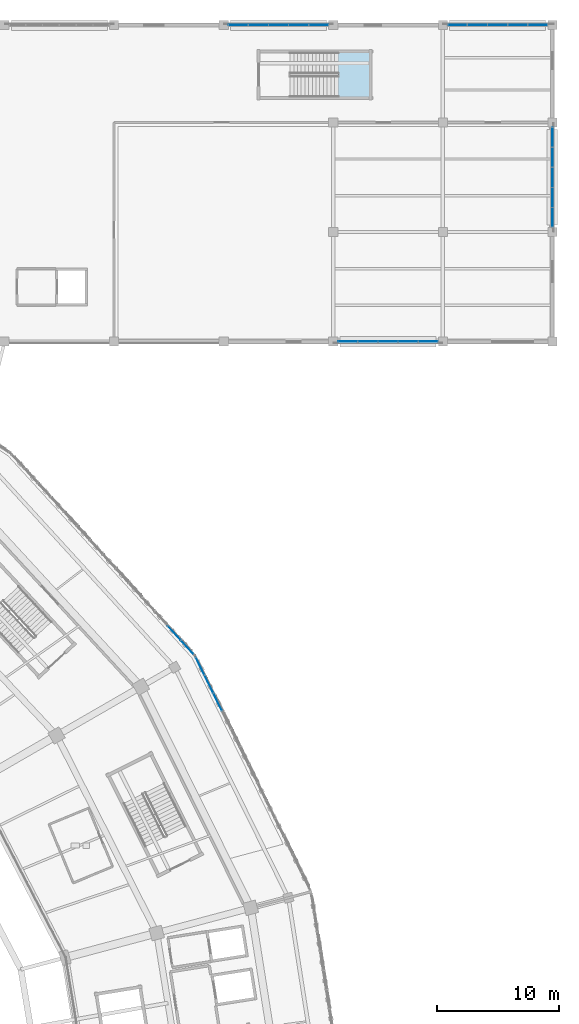
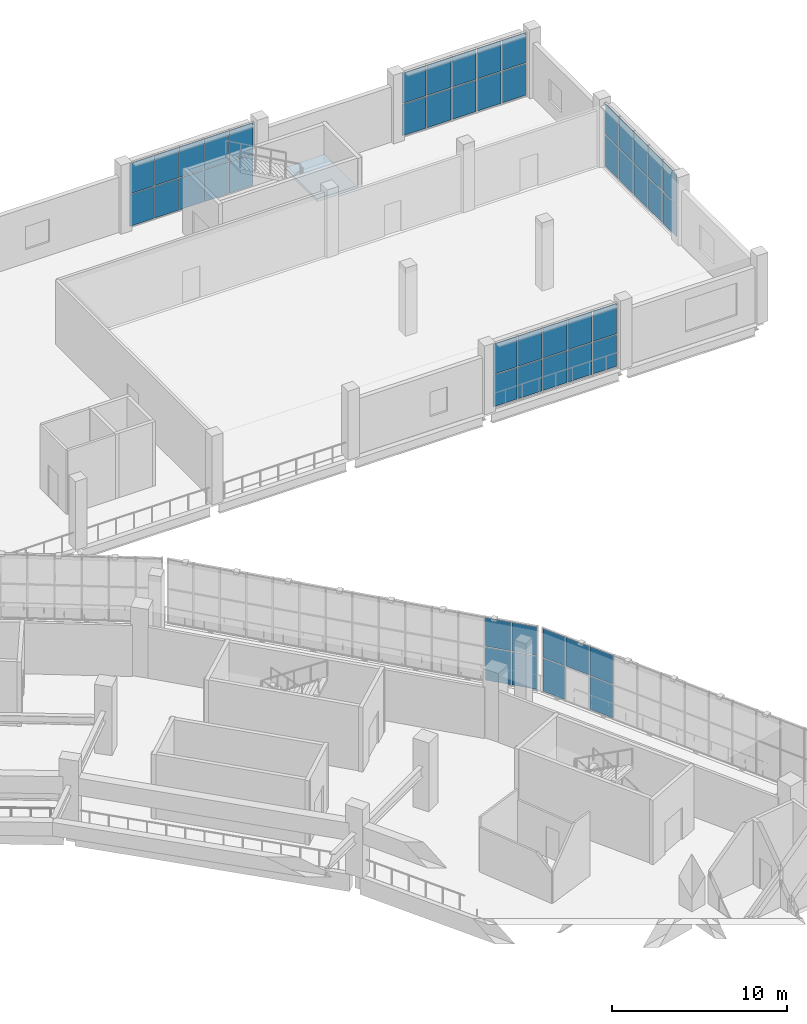
# One storey, part 96 of 179: 49 plates, 1 slab, 7 elements without a shape of their own.
"""IFC4 building model written with IfcOpenShell, lengths in metres."""

from ifc_helpers import new_model, si_unit, direction, frame, origin, origin_2d, place, context, subcontext, project, spatial, polyline, rectangle, outline, extrude, material, layer, layer_set, type_object, element, aggregate, save


model = new_model("IFC4")

# Units and contexts
model_context = context("Model", 3, precision=1e-05, world=origin(), true_north=direction((0.0, 1.0)))
body_context = subcontext(model_context, "Body", "Model", "MODEL_VIEW")
ifc_project = project(units=[si_unit("LENGTHUNIT", "METRE"), si_unit("AREAUNIT", "SQUARE_METRE"), si_unit("VOLUMEUNIT", "CUBIC_METRE"), si_unit("PLANEANGLEUNIT", "RADIAN"), si_unit("MASSUNIT", "GRAM", prefix="KILO")], contexts=[model_context])

# Site, building, storey
site_placement = place(None, origin())
site = spatial("IfcSite", under=ifc_project, at=site_placement, CompositionType="ELEMENT")
building_placement = place(site_placement, origin())
building = spatial("IfcBuilding", under=site, at=building_placement, Name="Zevraka Park Crest Stadium", CompositionType="ELEMENT")
storey_placement = place(building_placement, frame((0.0, 0.0, 10.199951171875)))
storey = spatial("IfcBuildingStorey", under=building, at=storey_placement, Name="L02", CompositionType="ELEMENT", Elevation=10.199951171875)

# Curtain wall, plates
ifc_material_1 = material(Name="Anodised architectural aluminium and laminated safety glass", Category="aluminium")
curtain_wall_type_1 = type_object("IfcCurtainWallType", Name="CW07", PredefinedType="NOTDEFINED", material=ifc_material_1)
curtain_wall_1_placement = place(storey_placement, origin())
curtain_wall_1 = element("IfcCurtainWall", 1, at=curtain_wall_1_placement, inside=storey, type_object=curtain_wall_type_1, Name="Unitised Ring Curtain Wall CW07 L02-01", PredefinedType="NOTDEFINED")
ifc_material_2 = material(Name="Solar-control laminated double glazing", Category="glass")
ifc_layer_1 = layer(ifc_material_2, 0.028076171875)
ifc_layer_set_1 = layer_set([ifc_layer_1], Name="Solar-control laminated double glazing")
plate_type_1 = type_object("IfcPlateType", Name="CP07", PredefinedType="CURTAIN_PANEL", material=ifc_layer_set_1)
plate_1_placement = place(storey_placement, frame((196.505859375, 128.403564453125, 0.06005859375), z_axis=(0.0, 0.0, 1.0), x_axis=(-0.441021032455, 0.897496768201, 0.0)))
plate_1 = element("IfcPlate", 2, at=plate_1_placement, type_object=plate_type_1, Name="CW07 panel 11.1", PredefinedType="CURTAIN_PANEL", context=body_context, shape_type="SweptSolid", body=[
    extrude(rectangle(XDim=1.58251953125, YDim=0.028076171875, at=origin_2d()), origin(), (0.0, 0.0, 1.0), 2.31005859375),
])
plate_2_placement = place(storey_placement, frame((196.505859375, 128.403564453125, 2.43017578125), z_axis=(0.0, 0.0, 1.0), x_axis=(-0.441021032455, 0.897496768201, 0.0)))
plate_2 = element("IfcPlate", 3, at=plate_2_placement, type_object=plate_type_1, Name="CW07 panel 11.2", PredefinedType="CURTAIN_PANEL", context=body_context, shape_type="SweptSolid", body=[
    extrude(rectangle(XDim=1.58251953125, YDim=0.028076171875, at=origin_2d()), origin(), (0.0, 0.0, 1.0), 2.010009765625),
])
plate_3_placement = place(storey_placement, frame((195.781494140625, 129.877685546875, 2.43017578125), z_axis=(0.0, 0.0, 1.0), x_axis=(-0.441021032455, 0.897496768201, 0.0)))
plate_3 = element("IfcPlate", 4, at=plate_3_placement, type_object=plate_type_1, Name="CW07 panel 12.2", PredefinedType="CURTAIN_PANEL", context=body_context, shape_type="SweptSolid", body=[
    extrude(rectangle(XDim=1.58251953125, YDim=0.028076171875, at=origin_2d()), origin(), (0.0, 0.0, 1.0), 2.010009765625),
])
plate_4_placement = place(storey_placement, frame((195.063720703125, 131.33837890625, 0.06005859375), z_axis=(0.0, 0.0, 1.0), x_axis=(-0.441021032455, 0.897496768201, 0.0)))
plate_4 = element("IfcPlate", 5, at=plate_4_placement, type_object=plate_type_1, Name="CW07 panel 13.1", PredefinedType="CURTAIN_PANEL", context=body_context, shape_type="SweptSolid", body=[
    extrude(rectangle(XDim=1.552490234375, YDim=0.028076171875, at=origin_2d()), origin(), (0.0, 0.0, 1.0), 2.31005859375),
])
plate_5_placement = place(storey_placement, frame((195.063720703125, 131.33837890625, 2.43017578125), z_axis=(0.0, 0.0, 1.0), x_axis=(-0.441021032455, 0.897496768201, 0.0)))
plate_5 = element("IfcPlate", 6, at=plate_5_placement, type_object=plate_type_1, Name="CW07 panel 13.2", PredefinedType="CURTAIN_PANEL", context=body_context, shape_type="SweptSolid", body=[
    extrude(rectangle(XDim=1.552490234375, YDim=0.028076171875, at=origin_2d()), origin(), (0.0, 0.0, 1.0), 2.010009765625),
])
aggregate(curtain_wall_1, [plate_1, plate_2, plate_3, plate_4, plate_5])

ifc_material_3 = material(Name="Anodised architectural aluminium and laminated safety glass", Category="aluminium")
curtain_wall_type_2 = type_object("IfcCurtainWallType", Name="CW08", PredefinedType="NOTDEFINED", material=ifc_material_3)
curtain_wall_2_placement = place(storey_placement, origin())
curtain_wall_2 = element("IfcCurtainWall", 7, at=curtain_wall_2_placement, inside=storey, type_object=curtain_wall_type_2, Name="Unitised Ring Curtain Wall CW08 L02-02", PredefinedType="NOTDEFINED")
ifc_material_4 = material(Name="Solar-control laminated double glazing", Category="glass")
ifc_layer_2 = layer(ifc_material_4, 0.028076171875)
ifc_layer_set_2 = layer_set([ifc_layer_2], Name="Solar-control laminated double glazing")
plate_type_2 = type_object("IfcPlateType", Name="CP08", PredefinedType="CURTAIN_PANEL", material=ifc_layer_set_2)
plate_6_placement = place(storey_placement, frame((194.005859375, 132.900146484375, 0.06494140625), z_axis=(0.0, 0.0, 1.0), x_axis=(-0.673159987494, 0.739496877097, 0.0)))
plate_6 = element("IfcPlate", 8, at=plate_6_placement, type_object=plate_type_2, Name="CW08 panel 1.1", PredefinedType="CURTAIN_PANEL", context=body_context, shape_type="SweptSolid", body=[
    extrude(rectangle(XDim=1.492919921875, YDim=0.028076171875, at=origin_2d()), origin(), (0.0, 0.0, 1.0), 2.302490234375),
])
plate_7_placement = place(storey_placement, frame((194.005859375, 132.900146484375, 2.4326171875), z_axis=(0.0, 0.0, 1.0), x_axis=(-0.673159987494, 0.739496877097, 0.0)))
plate_7 = element("IfcPlate", 9, at=plate_7_placement, type_object=plate_type_2, Name="CW08 panel 1.2", PredefinedType="CURTAIN_PANEL", context=body_context, shape_type="SweptSolid", body=[
    extrude(rectangle(XDim=1.492919921875, YDim=0.028076171875, at=origin_2d()), origin(), (0.0, 0.0, 1.0), 2.00244140625),
])
plate_8_placement = place(storey_placement, frame((192.946044921875, 134.064208984375, 0.06494140625), z_axis=(0.0, 0.0, 1.0), x_axis=(-0.673159987494, 0.739496877097, 0.0)))
plate_8 = element("IfcPlate", 10, at=plate_8_placement, type_object=plate_type_2, Name="CW08 panel 2.1", PredefinedType="CURTAIN_PANEL", context=body_context, shape_type="SweptSolid", body=[
    extrude(rectangle(XDim=1.525390625, YDim=0.028076171875, at=origin_2d()), origin(), (0.0, 0.0, 1.0), 2.302490234375),
])
plate_9_placement = place(storey_placement, frame((192.946044921875, 134.064208984375, 2.4326171875), z_axis=(0.0, 0.0, 1.0), x_axis=(-0.673159987494, 0.739496877097, 0.0)))
plate_9 = element("IfcPlate", 11, at=plate_9_placement, type_object=plate_type_2, Name="CW08 panel 2.2", PredefinedType="CURTAIN_PANEL", context=body_context, shape_type="SweptSolid", body=[
    extrude(rectangle(XDim=1.525390625, YDim=0.028076171875, at=origin_2d()), origin(), (0.0, 0.0, 1.0), 2.00244140625),
])
aggregate(curtain_wall_2, [plate_6, plate_7, plate_8, plate_9])

ifc_material_5 = material(Name="Anodised architectural aluminium and laminated safety glass", Category="aluminium")
curtain_wall_type_3 = type_object("IfcCurtainWallType", Name="CW28", PredefinedType="NOTDEFINED", material=ifc_material_5)
curtain_wall_3_placement = place(storey_placement, origin())
curtain_wall_3 = element("IfcCurtainWall", 12, at=curtain_wall_3_placement, inside=storey, type_object=curtain_wall_type_3, Name="Wing Curtain Wall CW28 L02-NGATE-N-6", PredefinedType="NOTDEFINED")
ifc_material_6 = material(Name="Solar-control laminated double glazing", Category="glass")
ifc_layer_3 = layer(ifc_material_6, 0.035888671875)
ifc_layer_set_3 = layer_set([ifc_layer_3], Name="Solar-control laminated double glazing")
plate_type_3 = type_object("IfcPlateType", Name="CP28", PredefinedType="CURTAIN_PANEL", material=ifc_layer_set_3)
plate_10_placement = place(storey_placement, frame((198.20703125, 184.0, 0.06005859375), z_axis=(0.0, 0.0, 1.0), x_axis=(1.0, 0.0, 0.0)))
plate_10 = element("IfcPlate", 13, at=plate_10_placement, type_object=plate_type_3, Name="CW28 panel 1.1", PredefinedType="CURTAIN_PANEL", context=body_context, shape_type="SweptSolid", body=[
    extrude(rectangle(XDim=1.56396484375, YDim=0.035888671875, at=origin_2d()), origin(), (0.0, 0.0, 1.0), 2.2099609375),
])
plate_11_placement = place(storey_placement, frame((198.20703125, 184.0, 2.330078125), z_axis=(0.0, 0.0, 1.0), x_axis=(1.0, 0.0, 0.0)))
plate_11 = element("IfcPlate", 14, at=plate_11_placement, type_object=plate_type_3, Name="CW28 panel 1.2", PredefinedType="CURTAIN_PANEL", context=body_context, shape_type="SweptSolid", body=[
    extrude(rectangle(XDim=1.56396484375, YDim=0.035888671875, at=origin_2d()), origin(), (0.0, 0.0, 1.0), 2.110107421875),
])
plate_12_placement = place(storey_placement, frame((199.845947265625, 184.0, 0.06005859375), z_axis=(0.0, 0.0, 1.0), x_axis=(1.0, 0.0, 0.0)))
plate_12 = element("IfcPlate", 15, at=plate_12_placement, type_object=plate_type_3, Name="CW28 panel 2.1", PredefinedType="CURTAIN_PANEL", context=body_context, shape_type="SweptSolid", body=[
    extrude(rectangle(XDim=1.593994140625, YDim=0.035888671875, at=origin_2d()), origin(), (0.0, 0.0, 1.0), 2.2099609375),
])
plate_13_placement = place(storey_placement, frame((199.845947265625, 184.0, 2.330078125), z_axis=(0.0, 0.0, 1.0), x_axis=(1.0, 0.0, 0.0)))
plate_13 = element("IfcPlate", 16, at=plate_13_placement, type_object=plate_type_3, Name="CW28 panel 2.2", PredefinedType="CURTAIN_PANEL", context=body_context, shape_type="SweptSolid", body=[
    extrude(rectangle(XDim=1.593994140625, YDim=0.035888671875, at=origin_2d()), origin(), (0.0, 0.0, 1.0), 2.110107421875),
])
plate_14_placement = place(storey_placement, frame((201.5, 184.0, 0.06005859375), z_axis=(0.0, 0.0, 1.0), x_axis=(1.0, 0.0, 0.0)))
plate_14 = element("IfcPlate", 17, at=plate_14_placement, type_object=plate_type_3, Name="CW28 panel 3.1", PredefinedType="CURTAIN_PANEL", context=body_context, shape_type="SweptSolid", body=[
    extrude(rectangle(XDim=1.593994140625, YDim=0.035888671875, at=origin_2d()), origin(), (0.0, 0.0, 1.0), 2.2099609375),
])
plate_15_placement = place(storey_placement, frame((201.5, 184.0, 2.330078125), z_axis=(0.0, 0.0, 1.0), x_axis=(1.0, 0.0, 0.0)))
plate_15 = element("IfcPlate", 18, at=plate_15_placement, type_object=plate_type_3, Name="CW28 panel 3.2", PredefinedType="CURTAIN_PANEL", context=body_context, shape_type="SweptSolid", body=[
    extrude(rectangle(XDim=1.593994140625, YDim=0.035888671875, at=origin_2d()), origin(), (0.0, 0.0, 1.0), 2.110107421875),
])
plate_16_placement = place(storey_placement, frame((203.154052734375, 184.0, 0.06005859375), z_axis=(0.0, 0.0, 1.0), x_axis=(1.0, 0.0, 0.0)))
plate_16 = element("IfcPlate", 19, at=plate_16_placement, type_object=plate_type_3, Name="CW28 panel 4.1", PredefinedType="CURTAIN_PANEL", context=body_context, shape_type="SweptSolid", body=[
    extrude(rectangle(XDim=1.593994140625, YDim=0.035888671875, at=origin_2d()), origin(), (0.0, 0.0, 1.0), 2.2099609375),
])
plate_17_placement = place(storey_placement, frame((203.154052734375, 184.0, 2.330078125), z_axis=(0.0, 0.0, 1.0), x_axis=(1.0, 0.0, 0.0)))
plate_17 = element("IfcPlate", 20, at=plate_17_placement, type_object=plate_type_3, Name="CW28 panel 4.2", PredefinedType="CURTAIN_PANEL", context=body_context, shape_type="SweptSolid", body=[
    extrude(rectangle(XDim=1.593994140625, YDim=0.035888671875, at=origin_2d()), origin(), (0.0, 0.0, 1.0), 2.110107421875),
])
plate_18_placement = place(storey_placement, frame((204.79296875, 184.0, 0.06005859375), z_axis=(0.0, 0.0, 1.0), x_axis=(1.0, 0.0, 0.0)))
plate_18 = element("IfcPlate", 21, at=plate_18_placement, type_object=plate_type_3, Name="CW28 panel 5.1", PredefinedType="CURTAIN_PANEL", context=body_context, shape_type="SweptSolid", body=[
    extrude(rectangle(XDim=1.56396484375, YDim=0.035888671875, at=origin_2d()), origin(), (0.0, 0.0, 1.0), 2.2099609375),
])
plate_19_placement = place(storey_placement, frame((204.79296875, 184.0, 2.330078125), z_axis=(0.0, 0.0, 1.0), x_axis=(1.0, 0.0, 0.0)))
plate_19 = element("IfcPlate", 22, at=plate_19_placement, type_object=plate_type_3, Name="CW28 panel 5.2", PredefinedType="CURTAIN_PANEL", context=body_context, shape_type="SweptSolid", body=[
    extrude(rectangle(XDim=1.56396484375, YDim=0.035888671875, at=origin_2d()), origin(), (0.0, 0.0, 1.0), 2.110107421875),
])
aggregate(curtain_wall_3, [plate_10, plate_11, plate_12, plate_13, plate_14, plate_15, plate_16, plate_17, plate_18, plate_19])

ifc_material_7 = material(Name="Anodised architectural aluminium and laminated safety glass", Category="aluminium")
curtain_wall_type_4 = type_object("IfcCurtainWallType", Name="CW29", PredefinedType="NOTDEFINED", material=ifc_material_7)
curtain_wall_4_placement = place(storey_placement, origin())
curtain_wall_4 = element("IfcCurtainWall", 23, at=curtain_wall_4_placement, inside=storey, type_object=curtain_wall_type_4, Name="Wing Curtain Wall CW29 L02-NGATE-E-2", PredefinedType="NOTDEFINED")
ifc_material_8 = material(Name="Solar-control laminated double glazing", Category="glass")
ifc_layer_4 = layer(ifc_material_8, 0.035888671875)
ifc_layer_set_4 = layer_set([ifc_layer_4], Name="Solar-control laminated double glazing")
plate_type_4 = type_object("IfcPlateType", Name="CP29", PredefinedType="CURTAIN_PANEL", material=ifc_layer_set_4)
plate_20_placement = place(storey_placement, frame((224.0, 174.791748046875, 0.06494140625), z_axis=(0.0, 0.0, 1.0), x_axis=(0.0, -1.0, 0.0)))
plate_20 = element("IfcPlate", 24, at=plate_20_placement, type_object=plate_type_4, Name="CW29 panel 1.1", PredefinedType="CURTAIN_PANEL", context=body_context, shape_type="SweptSolid", body=[
    extrude(rectangle(XDim=1.556396484375, YDim=0.035888671875, at=origin_2d()), origin(), (0.0, 0.0, 1.0), 2.202392578125),
])
plate_21_placement = place(storey_placement, frame((224.0, 174.791748046875, 2.33251953125), z_axis=(0.0, 0.0, 1.0), x_axis=(0.0, -1.0, 0.0)))
plate_21 = element("IfcPlate", 25, at=plate_21_placement, type_object=plate_type_4, Name="CW29 panel 1.2", PredefinedType="CURTAIN_PANEL", context=body_context, shape_type="SweptSolid", body=[
    extrude(rectangle(XDim=1.556396484375, YDim=0.035888671875, at=origin_2d()), origin(), (0.0, 0.0, 1.0), 2.1025390625),
])
plate_22_placement = place(storey_placement, frame((224.0, 173.154052734375, 0.06494140625), z_axis=(0.0, 0.0, 1.0), x_axis=(0.0, -1.0, 0.0)))
plate_22 = element("IfcPlate", 26, at=plate_22_placement, type_object=plate_type_4, Name="CW29 panel 2.1", PredefinedType="CURTAIN_PANEL", context=body_context, shape_type="SweptSolid", body=[
    extrude(rectangle(XDim=1.589111328125, YDim=0.035888671875, at=origin_2d()), origin(), (0.0, 0.0, 1.0), 2.202392578125),
])
plate_23_placement = place(storey_placement, frame((224.0, 173.154052734375, 2.33251953125), z_axis=(0.0, 0.0, 1.0), x_axis=(0.0, -1.0, 0.0)))
plate_23 = element("IfcPlate", 27, at=plate_23_placement, type_object=plate_type_4, Name="CW29 panel 2.2", PredefinedType="CURTAIN_PANEL", context=body_context, shape_type="SweptSolid", body=[
    extrude(rectangle(XDim=1.589111328125, YDim=0.035888671875, at=origin_2d()), origin(), (0.0, 0.0, 1.0), 2.1025390625),
])
plate_24_placement = place(storey_placement, frame((224.0, 171.5, 0.06494140625), z_axis=(0.0, 0.0, 1.0), x_axis=(0.0, -1.0, 0.0)))
plate_24 = element("IfcPlate", 28, at=plate_24_placement, type_object=plate_type_4, Name="CW29 panel 3.1", PredefinedType="CURTAIN_PANEL", context=body_context, shape_type="SweptSolid", body=[
    extrude(rectangle(XDim=1.589111328125, YDim=0.035888671875, at=origin_2d()), origin(), (0.0, 0.0, 1.0), 2.202392578125),
])
plate_25_placement = place(storey_placement, frame((224.0, 171.5, 2.33251953125), z_axis=(0.0, 0.0, 1.0), x_axis=(0.0, -1.0, 0.0)))
plate_25 = element("IfcPlate", 29, at=plate_25_placement, type_object=plate_type_4, Name="CW29 panel 3.2", PredefinedType="CURTAIN_PANEL", context=body_context, shape_type="SweptSolid", body=[
    extrude(rectangle(XDim=1.589111328125, YDim=0.035888671875, at=origin_2d()), origin(), (0.0, 0.0, 1.0), 2.1025390625),
])
plate_26_placement = place(storey_placement, frame((224.0, 169.845947265625, 0.06494140625), z_axis=(0.0, 0.0, 1.0), x_axis=(0.0, -1.0, 0.0)))
plate_26 = element("IfcPlate", 30, at=plate_26_placement, type_object=plate_type_4, Name="CW29 panel 4.1", PredefinedType="CURTAIN_PANEL", context=body_context, shape_type="SweptSolid", body=[
    extrude(rectangle(XDim=1.589111328125, YDim=0.035888671875, at=origin_2d()), origin(), (0.0, 0.0, 1.0), 2.202392578125),
])
plate_27_placement = place(storey_placement, frame((224.0, 169.845947265625, 2.33251953125), z_axis=(0.0, 0.0, 1.0), x_axis=(0.0, -1.0, 0.0)))
plate_27 = element("IfcPlate", 31, at=plate_27_placement, type_object=plate_type_4, Name="CW29 panel 4.2", PredefinedType="CURTAIN_PANEL", context=body_context, shape_type="SweptSolid", body=[
    extrude(rectangle(XDim=1.589111328125, YDim=0.035888671875, at=origin_2d()), origin(), (0.0, 0.0, 1.0), 2.1025390625),
])
plate_28_placement = place(storey_placement, frame((224.0, 168.208251953125, 0.06494140625), z_axis=(0.0, 0.0, 1.0), x_axis=(0.0, -1.0, 0.0)))
plate_28 = element("IfcPlate", 32, at=plate_28_placement, type_object=plate_type_4, Name="CW29 panel 5.1", PredefinedType="CURTAIN_PANEL", context=body_context, shape_type="SweptSolid", body=[
    extrude(rectangle(XDim=1.556396484375, YDim=0.035888671875, at=origin_2d()), origin(), (0.0, 0.0, 1.0), 2.202392578125),
])
plate_29_placement = place(storey_placement, frame((224.0, 168.208251953125, 2.33251953125), z_axis=(0.0, 0.0, 1.0), x_axis=(0.0, -1.0, 0.0)))
plate_29 = element("IfcPlate", 33, at=plate_29_placement, type_object=plate_type_4, Name="CW29 panel 5.2", PredefinedType="CURTAIN_PANEL", context=body_context, shape_type="SweptSolid", body=[
    extrude(rectangle(XDim=1.556396484375, YDim=0.035888671875, at=origin_2d()), origin(), (0.0, 0.0, 1.0), 2.1025390625),
])
aggregate(curtain_wall_4, [plate_20, plate_21, plate_22, plate_23, plate_24, plate_25, plate_26, plate_27, plate_28, plate_29])

curtain_wall_5_placement = place(storey_placement, origin())
curtain_wall_5 = element("IfcCurtainWall", 34, at=curtain_wall_5_placement, inside=storey, type_object=curtain_wall_type_4, Name="Wing Curtain Wall CW29 L02-NGATE-S-2", PredefinedType="NOTDEFINED")
plate_30_placement = place(storey_placement, frame((213.791748046875, 158.0, 0.06494140625), z_axis=(0.0, 0.0, 1.0), x_axis=(-1.0, 0.0, 0.0)))
plate_30 = element("IfcPlate", 35, at=plate_30_placement, type_object=plate_type_4, Name="CW29 panel 1.1", PredefinedType="CURTAIN_PANEL", context=body_context, shape_type="SweptSolid", body=[
    extrude(rectangle(XDim=1.556396484375, YDim=0.035888671875, at=origin_2d()), origin(), (0.0, 0.0, 1.0), 2.202392578125),
])
plate_31_placement = place(storey_placement, frame((213.791748046875, 158.0, 2.33251953125), z_axis=(0.0, 0.0, 1.0), x_axis=(-1.0, 0.0, 0.0)))
plate_31 = element("IfcPlate", 36, at=plate_31_placement, type_object=plate_type_4, Name="CW29 panel 1.2", PredefinedType="CURTAIN_PANEL", context=body_context, shape_type="SweptSolid", body=[
    extrude(rectangle(XDim=1.556396484375, YDim=0.035888671875, at=origin_2d()), origin(), (0.0, 0.0, 1.0), 2.1025390625),
])
plate_32_placement = place(storey_placement, frame((212.154052734375, 158.0, 0.06494140625), z_axis=(0.0, 0.0, 1.0), x_axis=(-1.0, 0.0, 0.0)))
plate_32 = element("IfcPlate", 37, at=plate_32_placement, type_object=plate_type_4, Name="CW29 panel 2.1", PredefinedType="CURTAIN_PANEL", context=body_context, shape_type="SweptSolid", body=[
    extrude(rectangle(XDim=1.589111328125, YDim=0.035888671875, at=origin_2d()), origin(), (0.0, 0.0, 1.0), 2.202392578125),
])
plate_33_placement = place(storey_placement, frame((212.154052734375, 158.0, 2.33251953125), z_axis=(0.0, 0.0, 1.0), x_axis=(-1.0, 0.0, 0.0)))
plate_33 = element("IfcPlate", 38, at=plate_33_placement, type_object=plate_type_4, Name="CW29 panel 2.2", PredefinedType="CURTAIN_PANEL", context=body_context, shape_type="SweptSolid", body=[
    extrude(rectangle(XDim=1.589111328125, YDim=0.035888671875, at=origin_2d()), origin(), (0.0, 0.0, 1.0), 2.1025390625),
])
plate_34_placement = place(storey_placement, frame((210.5, 158.0, 0.06494140625), z_axis=(0.0, 0.0, 1.0), x_axis=(-1.0, 0.0, 0.0)))
plate_34 = element("IfcPlate", 39, at=plate_34_placement, type_object=plate_type_4, Name="CW29 panel 3.1", PredefinedType="CURTAIN_PANEL", context=body_context, shape_type="SweptSolid", body=[
    extrude(rectangle(XDim=1.589111328125, YDim=0.035888671875, at=origin_2d()), origin(), (0.0, 0.0, 1.0), 2.202392578125),
])
plate_35_placement = place(storey_placement, frame((210.5, 158.0, 2.33251953125), z_axis=(0.0, 0.0, 1.0), x_axis=(-1.0, 0.0, 0.0)))
plate_35 = element("IfcPlate", 40, at=plate_35_placement, type_object=plate_type_4, Name="CW29 panel 3.2", PredefinedType="CURTAIN_PANEL", context=body_context, shape_type="SweptSolid", body=[
    extrude(rectangle(XDim=1.589111328125, YDim=0.035888671875, at=origin_2d()), origin(), (0.0, 0.0, 1.0), 2.1025390625),
])
plate_36_placement = place(storey_placement, frame((208.845947265625, 158.0, 0.06494140625), z_axis=(0.0, 0.0, 1.0), x_axis=(-1.0, 0.0, 0.0)))
plate_36 = element("IfcPlate", 41, at=plate_36_placement, type_object=plate_type_4, Name="CW29 panel 4.1", PredefinedType="CURTAIN_PANEL", context=body_context, shape_type="SweptSolid", body=[
    extrude(rectangle(XDim=1.589111328125, YDim=0.035888671875, at=origin_2d()), origin(), (0.0, 0.0, 1.0), 2.202392578125),
])
plate_37_placement = place(storey_placement, frame((208.845947265625, 158.0, 2.33251953125), z_axis=(0.0, 0.0, 1.0), x_axis=(-1.0, 0.0, 0.0)))
plate_37 = element("IfcPlate", 42, at=plate_37_placement, type_object=plate_type_4, Name="CW29 panel 4.2", PredefinedType="CURTAIN_PANEL", context=body_context, shape_type="SweptSolid", body=[
    extrude(rectangle(XDim=1.589111328125, YDim=0.035888671875, at=origin_2d()), origin(), (0.0, 0.0, 1.0), 2.1025390625),
])
plate_38_placement = place(storey_placement, frame((207.208251953125, 158.0, 0.06494140625), z_axis=(0.0, 0.0, 1.0), x_axis=(-1.0, 0.0, 0.0)))
plate_38 = element("IfcPlate", 43, at=plate_38_placement, type_object=plate_type_4, Name="CW29 panel 5.1", PredefinedType="CURTAIN_PANEL", context=body_context, shape_type="SweptSolid", body=[
    extrude(rectangle(XDim=1.556396484375, YDim=0.035888671875, at=origin_2d()), origin(), (0.0, 0.0, 1.0), 2.202392578125),
])
plate_39_placement = place(storey_placement, frame((207.208251953125, 158.0, 2.33251953125), z_axis=(0.0, 0.0, 1.0), x_axis=(-1.0, 0.0, 0.0)))
plate_39 = element("IfcPlate", 44, at=plate_39_placement, type_object=plate_type_4, Name="CW29 panel 5.2", PredefinedType="CURTAIN_PANEL", context=body_context, shape_type="SweptSolid", body=[
    extrude(rectangle(XDim=1.556396484375, YDim=0.035888671875, at=origin_2d()), origin(), (0.0, 0.0, 1.0), 2.1025390625),
])
aggregate(curtain_wall_5, [plate_30, plate_31, plate_32, plate_33, plate_34, plate_35, plate_36, plate_37, plate_38, plate_39])

ifc_material_9 = material(Name="Anodised architectural aluminium and laminated safety glass", Category="aluminium")
curtain_wall_type_5 = type_object("IfcCurtainWallType", Name="CW30", PredefinedType="NOTDEFINED", material=ifc_material_9)
curtain_wall_6_placement = place(storey_placement, origin())
curtain_wall_6 = element("IfcCurtainWall", 45, at=curtain_wall_6_placement, inside=storey, type_object=curtain_wall_type_5, Name="Wing Curtain Wall CW30 L02-NGATE-N-8", PredefinedType="NOTDEFINED")
ifc_material_10 = material(Name="Solar-control laminated double glazing", Category="glass")
ifc_layer_5 = layer(ifc_material_10, 0.035888671875)
ifc_layer_set_5 = layer_set([ifc_layer_5], Name="Solar-control laminated double glazing")
plate_type_5 = type_object("IfcPlateType", Name="CP30", PredefinedType="CURTAIN_PANEL", material=ifc_layer_set_5)
plate_40_placement = place(storey_placement, frame((216.20947265625, 184.0, 0.06982421875), z_axis=(0.0, 0.0, 1.0), x_axis=(1.0, 0.0, 0.0)))
plate_40 = element("IfcPlate", 46, at=plate_40_placement, type_object=plate_type_5, Name="CW30 panel 1.1", PredefinedType="CURTAIN_PANEL", context=body_context, shape_type="SweptSolid", body=[
    extrude(rectangle(XDim=1.549072265625, YDim=0.035888671875, at=origin_2d()), origin(), (0.0, 0.0, 1.0), 2.195068359375),
])
plate_41_placement = place(storey_placement, frame((216.20947265625, 184.0, 2.3349609375), z_axis=(0.0, 0.0, 1.0), x_axis=(1.0, 0.0, 0.0)))
plate_41 = element("IfcPlate", 47, at=plate_41_placement, type_object=plate_type_5, Name="CW30 panel 1.2", PredefinedType="CURTAIN_PANEL", context=body_context, shape_type="SweptSolid", body=[
    extrude(rectangle(XDim=1.549072265625, YDim=0.035888671875, at=origin_2d()), origin(), (0.0, 0.0, 1.0), 2.094970703125),
])
plate_42_placement = place(storey_placement, frame((217.845947265625, 184.0, 0.06982421875), z_axis=(0.0, 0.0, 1.0), x_axis=(1.0, 0.0, 0.0)))
plate_42 = element("IfcPlate", 48, at=plate_42_placement, type_object=plate_type_5, Name="CW30 panel 2.1", PredefinedType="CURTAIN_PANEL", context=body_context, shape_type="SweptSolid", body=[
    extrude(rectangle(XDim=1.583984375, YDim=0.035888671875, at=origin_2d()), origin(), (0.0, 0.0, 1.0), 2.195068359375),
])
plate_43_placement = place(storey_placement, frame((217.845947265625, 184.0, 2.3349609375), z_axis=(0.0, 0.0, 1.0), x_axis=(1.0, 0.0, 0.0)))
plate_43 = element("IfcPlate", 49, at=plate_43_placement, type_object=plate_type_5, Name="CW30 panel 2.2", PredefinedType="CURTAIN_PANEL", context=body_context, shape_type="SweptSolid", body=[
    extrude(rectangle(XDim=1.583984375, YDim=0.035888671875, at=origin_2d()), origin(), (0.0, 0.0, 1.0), 2.094970703125),
])
plate_44_placement = place(storey_placement, frame((219.5, 184.0, 0.06982421875), z_axis=(0.0, 0.0, 1.0), x_axis=(1.0, 0.0, 0.0)))
plate_44 = element("IfcPlate", 50, at=plate_44_placement, type_object=plate_type_5, Name="CW30 panel 3.1", PredefinedType="CURTAIN_PANEL", context=body_context, shape_type="SweptSolid", body=[
    extrude(rectangle(XDim=1.583984375, YDim=0.035888671875, at=origin_2d()), origin(), (0.0, 0.0, 1.0), 2.195068359375),
])
plate_45_placement = place(storey_placement, frame((219.5, 184.0, 2.3349609375), z_axis=(0.0, 0.0, 1.0), x_axis=(1.0, 0.0, 0.0)))
plate_45 = element("IfcPlate", 51, at=plate_45_placement, type_object=plate_type_5, Name="CW30 panel 3.2", PredefinedType="CURTAIN_PANEL", context=body_context, shape_type="SweptSolid", body=[
    extrude(rectangle(XDim=1.583984375, YDim=0.035888671875, at=origin_2d()), origin(), (0.0, 0.0, 1.0), 2.094970703125),
])
plate_46_placement = place(storey_placement, frame((221.154052734375, 184.0, 0.06982421875), z_axis=(0.0, 0.0, 1.0), x_axis=(1.0, 0.0, 0.0)))
plate_46 = element("IfcPlate", 52, at=plate_46_placement, type_object=plate_type_5, Name="CW30 panel 4.1", PredefinedType="CURTAIN_PANEL", context=body_context, shape_type="SweptSolid", body=[
    extrude(rectangle(XDim=1.583984375, YDim=0.035888671875, at=origin_2d()), origin(), (0.0, 0.0, 1.0), 2.195068359375),
])
plate_47_placement = place(storey_placement, frame((221.154052734375, 184.0, 2.3349609375), z_axis=(0.0, 0.0, 1.0), x_axis=(1.0, 0.0, 0.0)))
plate_47 = element("IfcPlate", 53, at=plate_47_placement, type_object=plate_type_5, Name="CW30 panel 4.2", PredefinedType="CURTAIN_PANEL", context=body_context, shape_type="SweptSolid", body=[
    extrude(rectangle(XDim=1.583984375, YDim=0.035888671875, at=origin_2d()), origin(), (0.0, 0.0, 1.0), 2.094970703125),
])
plate_48_placement = place(storey_placement, frame((222.79052734375, 184.0, 0.06982421875), z_axis=(0.0, 0.0, 1.0), x_axis=(1.0, 0.0, 0.0)))
plate_48 = element("IfcPlate", 54, at=plate_48_placement, type_object=plate_type_5, Name="CW30 panel 5.1", PredefinedType="CURTAIN_PANEL", context=body_context, shape_type="SweptSolid", body=[
    extrude(rectangle(XDim=1.549072265625, YDim=0.035888671875, at=origin_2d()), origin(), (0.0, 0.0, 1.0), 2.195068359375),
])
plate_49_placement = place(storey_placement, frame((222.79052734375, 184.0, 2.3349609375), z_axis=(0.0, 0.0, 1.0), x_axis=(1.0, 0.0, 0.0)))
plate_49 = element("IfcPlate", 55, at=plate_49_placement, type_object=plate_type_5, Name="CW30 panel 5.2", PredefinedType="CURTAIN_PANEL", context=body_context, shape_type="SweptSolid", body=[
    extrude(rectangle(XDim=1.549072265625, YDim=0.035888671875, at=origin_2d()), origin(), (0.0, 0.0, 1.0), 2.094970703125),
])
aggregate(curtain_wall_6, [plate_40, plate_41, plate_42, plate_43, plate_44, plate_45, plate_46, plate_47, plate_48, plate_49])

# Stair, slab
ifc_material_11 = material(Name="Concrete C35/45", Category="concrete")
stair_type = type_object("IfcStairType", Name="STC2", PredefinedType="HALF_TURN_STAIR", material=ifc_material_11)
stair_placement = place(storey_placement, origin())
stair = element("IfcStair", 56, at=stair_placement, inside=storey, type_object=stair_type, Name="L02 North Gate Pavilion East Stair ST45", PredefinedType="HALF_TURN_STAIR")
ifc_material_12 = material(Name="Concrete C35/45", Category="concrete")
ifc_layer_6 = layer(ifc_material_12, 0.199951171875)
ifc_layer_set_6 = layer_set([ifc_layer_6], Name="Concrete C35/45")
slab_type = type_object("IfcSlabType", Name="LS01", PredefinedType="LANDING", material=ifc_layer_set_6)
slab_placement = place(storey_placement, frame((0.0, 0.0, 2.199951171875)))
slab = element("IfcSlab", 57, at=slab_placement, type_object=slab_type, Name="ST45 landing 1", PredefinedType="LANDING", context=body_context, shape_type="SweptSolid", body=[
    extrude(outline(polyline([(206.389892578125, 178.090087890625), (209.0, 178.090087890625), (209.0, 181.75), (206.389892578125, 181.75), (206.389892578125, 178.090087890625)])), origin(), (0.0, 0.0, 1.0), 0.2001953125),
])
aggregate(stair, [slab])

save(model, "model.ifc")
